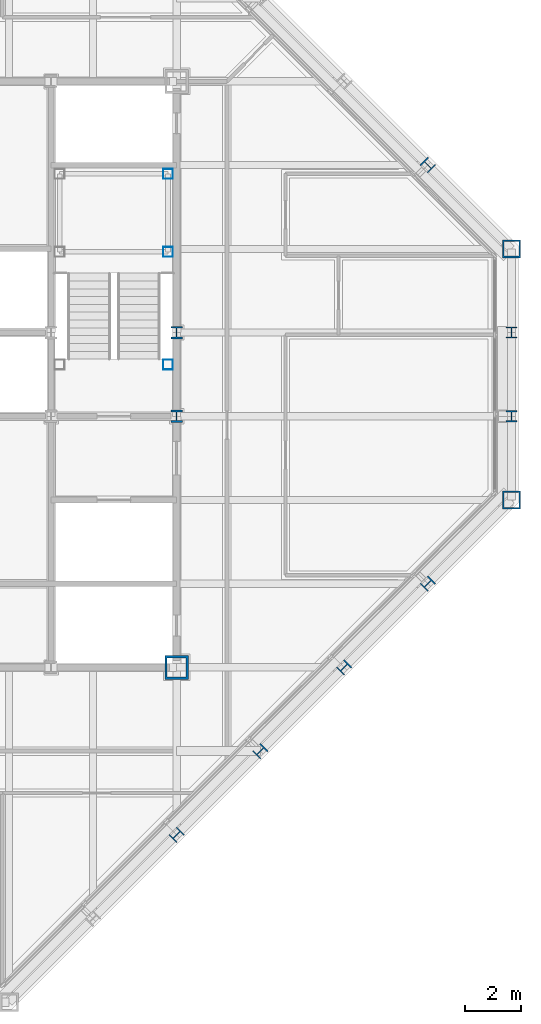
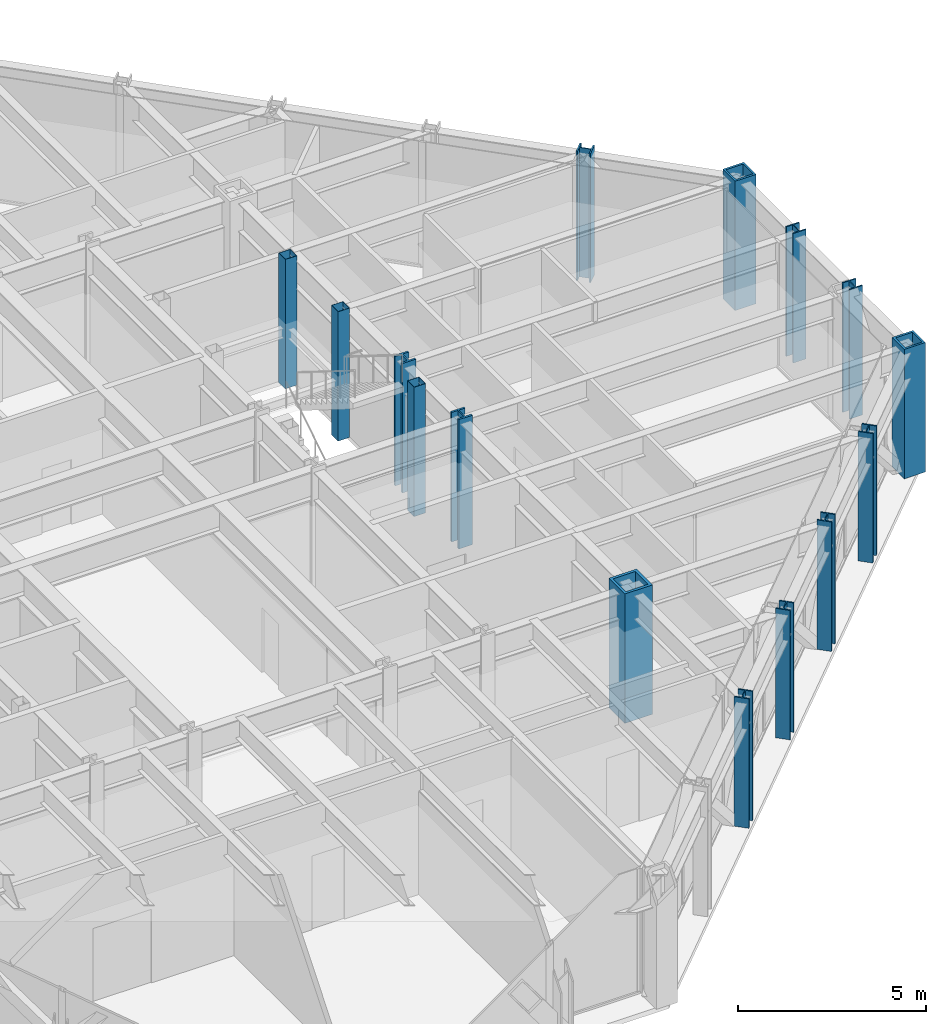
# One storey, part 3 of 15: 15 columns.
"""IFC4 building model written with IfcOpenShell, lengths in metres."""

from ifc_helpers import new_model, si_unit, direction, frame, origin, origin_2d, place, context, subcontext, project, spatial, hollow_rectangle, i_section, extrude, material, material_profile, profile_set, type_object, element, save


model = new_model("IFC4")

# Units and contexts
model_context = context("Model", 3, precision=1e-05, world=origin(), true_north=direction((0.0, 1.0)))
body_context = subcontext(model_context, "Body", "Model", "MODEL_VIEW")
ifc_project = project(units=[si_unit("LENGTHUNIT", "METRE"), si_unit("AREAUNIT", "SQUARE_METRE"), si_unit("VOLUMEUNIT", "CUBIC_METRE"), si_unit("PLANEANGLEUNIT", "RADIAN"), si_unit("MASSUNIT", "GRAM", prefix="KILO")], contexts=[model_context])

# Site, building, storey
site_placement = place(None, origin())
site = spatial("IfcSite", under=ifc_project, at=site_placement, CompositionType="ELEMENT")
building_placement = place(site_placement, origin())
building = spatial("IfcBuilding", under=site, at=building_placement, Name="Chuquiago Exchange Tower", CompositionType="ELEMENT")
storey_placement = place(building_placement, frame((0.0, 0.0, 287.39990234375)))
storey = spatial("IfcBuildingStorey", under=building, at=storey_placement, Name="L64", CompositionType="ELEMENT", Elevation=287.39990234375)

# Columns
ifc_material_1 = material(Name="Steel ASTM A992", Category="steel")
ifc_material_profile_1 = material_profile(ifc_material_1, i_section(OverallWidth=0.4013671875, OverallDepth=0.398681640625, WebThickness=0.02490234375, FlangeThickness=0.03955078125, at=origin_2d()), Name="W14X211")
ifc_profile_set_1 = profile_set([ifc_material_profile_1], Name="Steel ASTM A992")
column_type_1 = type_object("IfcColumnType", Name="C9 W14X211", PredefinedType="COLUMN", material=ifc_profile_set_1)
for number, where, z_axis, x_axis, name in (
    (1, (45.0, 21.0, 0.0), (0.0, 0.0, 1.0), (1.0, 0.0, 0.0), "COL-L64-45_21"),
    (2, (45.0, 24.0, 0.0), (0.0, 0.0, 1.0), (1.0, 0.0, 0.0), "COL-L64-45_24"),
):
    element("IfcColumn", number, at=place(storey_placement, frame(where, z_axis=z_axis, x_axis=x_axis)), inside=storey, type_object=column_type_1, Name=name, PredefinedType="COLUMN", context=body_context, shape_type="SweptSolid", body=[
        extrude(i_section(OverallWidth=0.4013671875, OverallDepth=0.398681640625, WebThickness=0.02490234375, FlangeThickness=0.03955078125, at=origin_2d()), origin(), (0.0, 0.0, 1.0), 4.2001953125),
    ])
ifc_material_2 = material(Name="Steel ASTM A572 Grade 50", Category="steel")
ifc_material_profile_2 = material_profile(ifc_material_2, hollow_rectangle(XDim=0.85009765625, YDim=0.85009765625, WallThickness=0.0849609375, at=origin_2d()), Name="BOX850X850X85")
ifc_profile_set_2 = profile_set([ifc_material_profile_2], Name="Steel ASTM A572 Grade 50")
column_type_2 = type_object("IfcColumnType", Name="CC6 BOX850X850X85", PredefinedType="COLUMN", material=ifc_profile_set_2)
column_placement = place(storey_placement, frame((33.0, 12.0, 0.0), z_axis=(0.0, 0.0, 1.0), x_axis=(1.0, 0.0, 0.0)))
element("IfcColumn", 3, at=column_placement, inside=storey, type_object=column_type_2, Name="CCOL-L64-33_12", PredefinedType="COLUMN", context=body_context, shape_type="SweptSolid", body=[
    extrude(hollow_rectangle(XDim=0.85009765625, YDim=0.85009765625, WallThickness=0.0849609375, at=origin_2d()), origin(), (0.0, 0.0, 1.0), 4.2001953125),
])
ifc_material_3 = material(Name="Steel ASTM A992", Category="steel")
ifc_material_profile_3 = material_profile(ifc_material_3, i_section(OverallWidth=0.41650390625, OverallDepth=0.444580078125, WebThickness=0.0390625, FlangeThickness=0.062744140625, at=origin_2d()), Name="W14X342")
ifc_profile_set_3 = profile_set([ifc_material_profile_3], Name="Steel ASTM A992")
column_type_3 = type_object("IfcColumnType", Name="CC9 W14X342", PredefinedType="COLUMN", material=ifc_profile_set_3)
for number, where, z_axis, x_axis, name in (
    (4, (33.0, 21.0, 0.0), (0.0, 0.0, 1.0), (1.0, 0.0, 0.0), "CCOL-L64-33_21"),
    (5, (33.0, 24.0, 0.0), (0.0, 0.0, 1.0), (1.0, 0.0, 0.0), "CCOL-L64-33_24"),
):
    element("IfcColumn", number, at=place(storey_placement, frame(where, z_axis=z_axis, x_axis=x_axis)), inside=storey, type_object=column_type_3, Name=name, PredefinedType="COLUMN", context=body_context, shape_type="SweptSolid", body=[
        extrude(i_section(OverallWidth=0.41650390625, OverallDepth=0.444580078125, WebThickness=0.0390625, FlangeThickness=0.062744140625, at=origin_2d()), origin(), (0.0, 0.0, 1.0), 4.2001953125),
    ])
ifc_material_4 = material(Name="Steel ASTM A992", Category="steel")
ifc_material_profile_4 = material_profile(ifc_material_4, i_section(OverallWidth=0.40380859375, OverallDepth=0.406494140625, WebThickness=0.027099609375, FlangeThickness=0.043701171875, at=origin_2d()), Name="W14X233")
ifc_profile_set_4 = profile_set([ifc_material_profile_4], Name="Steel ASTM A992")
column_type_4 = type_object("IfcColumnType", Name="CK8 W14X233", PredefinedType="COLUMN", material=ifc_profile_set_4)
for number, where, z_axis, x_axis, name in (
    (6, (33.0, 6.0, 0.0), (0.0, 0.0, 1.0), (0.707106781187, -0.707106781187, 0.0), "COL-L64-33_6"),
    (7, (36.0, 9.0, 0.0), (0.0, 0.0, 1.0), (0.707106781187, -0.707106781187, 0.0), "COL-L64-36_9"),
    (8, (39.0, 12.0, 0.0), (0.0, 0.0, 1.0), (0.707106781187, -0.707106781187, 0.0), "COL-L64-39_12"),
    (9, (42.0, 15.0, 0.0), (0.0, 0.0, 1.0), (0.707106781187, -0.707106781187, 0.0), "COL-L64-42_15"),
    (10, (42.0, 30.0, 0.0), (0.0, 0.0, 1.0), (0.707106781187, 0.707106781187, 0.0), "COL-L64-42_30"),
):
    element("IfcColumn", number, at=place(storey_placement, frame(where, z_axis=z_axis, x_axis=x_axis)), inside=storey, type_object=column_type_4, Name=name, PredefinedType="COLUMN", context=body_context, shape_type="SweptSolid", body=[
        extrude(i_section(OverallWidth=0.40380859375, OverallDepth=0.406494140625, WebThickness=0.027099609375, FlangeThickness=0.043701171875, at=origin_2d()), origin(), (0.0, 0.0, 1.0), 4.2001953125),
    ])
ifc_material_5 = material(Name="Steel ASTM A572 Grade 50", Category="steel")
ifc_material_profile_5 = material_profile(ifc_material_5, hollow_rectangle(XDim=0.64990234375, YDim=0.64990234375, WallThickness=0.06494140625, at=origin_2d()), Name="BOX650X650X65")
ifc_profile_set_5 = profile_set([ifc_material_profile_5], Name="Steel ASTM A572 Grade 50")
column_type_5 = type_object("IfcColumnType", Name="CN2 BOX650X650X65", PredefinedType="COLUMN", material=ifc_profile_set_5)
for number, where, z_axis, x_axis, name in (
    (11, (45.0, 18.0, 0.0), (0.0, 0.0, 1.0), (1.0, 0.0, 0.0), "COL-L64-45_18"),
    (12, (45.0, 27.0, 0.0), (0.0, 0.0, 1.0), (1.0, 0.0, 0.0), "COL-L64-45_27"),
):
    element("IfcColumn", number, at=place(storey_placement, frame(where, z_axis=z_axis, x_axis=x_axis)), inside=storey, type_object=column_type_5, Name=name, PredefinedType="COLUMN", context=body_context, shape_type="SweptSolid", body=[
        extrude(hollow_rectangle(XDim=0.64990234375, YDim=0.64990234375, WallThickness=0.06494140625, at=origin_2d()), origin(), (0.0, 0.0, 1.0), 4.2001953125),
    ])
ifc_material_6 = material(Name="Steel ASTM A500 Grade C", Category="steel")
ifc_material_profile_6 = material_profile(ifc_material_6, hollow_rectangle(XDim=0.355712890625, YDim=0.355712890625, WallThickness=0.0087890625, at=origin_2d()), Name="HSS14X14X3/8")
ifc_profile_set_6 = profile_set([ifc_material_profile_6], Name="Steel ASTM A500 Grade C")
column_type_6 = type_object("IfcColumnType", Name="PT1 HSS14X14X3/8", PredefinedType="COLUMN", material=ifc_profile_set_6)
for number, where, z_axis, x_axis, name in (
    (13, (32.68994140625, 29.68994140625, 0.0), (0.0, 0.0, 1.0), (1.0, 0.0, 0.0), "Stair ST2 L64 landing post"),
    (14, (32.68994140625, 26.889892578125, 0.0), (0.0, 0.0, 1.0), (1.0, 0.0, 0.0), "Stair ST2 L64 landing post"),
    (15, (32.68994140625, 22.85009765625, 0.0), (0.0, 0.0, 1.0), (1.0, 0.0, 0.0), "Stair ST2 L64 landing post"),
):
    element("IfcColumn", number, at=place(storey_placement, frame(where, z_axis=z_axis, x_axis=x_axis)), inside=storey, type_object=column_type_6, Name=name, PredefinedType="COLUMN", context=body_context, shape_type="SweptSolid", body=[
        extrude(hollow_rectangle(XDim=0.355712890625, YDim=0.355712890625, WallThickness=0.0087890625, at=origin_2d()), origin(), (0.0, 0.0, 1.0), 4.2001953125),
    ])

save(model, "model.ifc")
